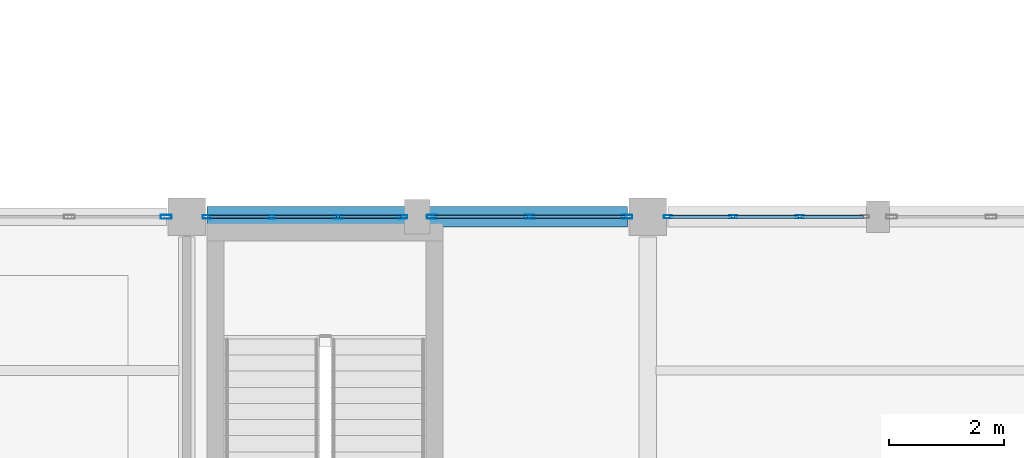
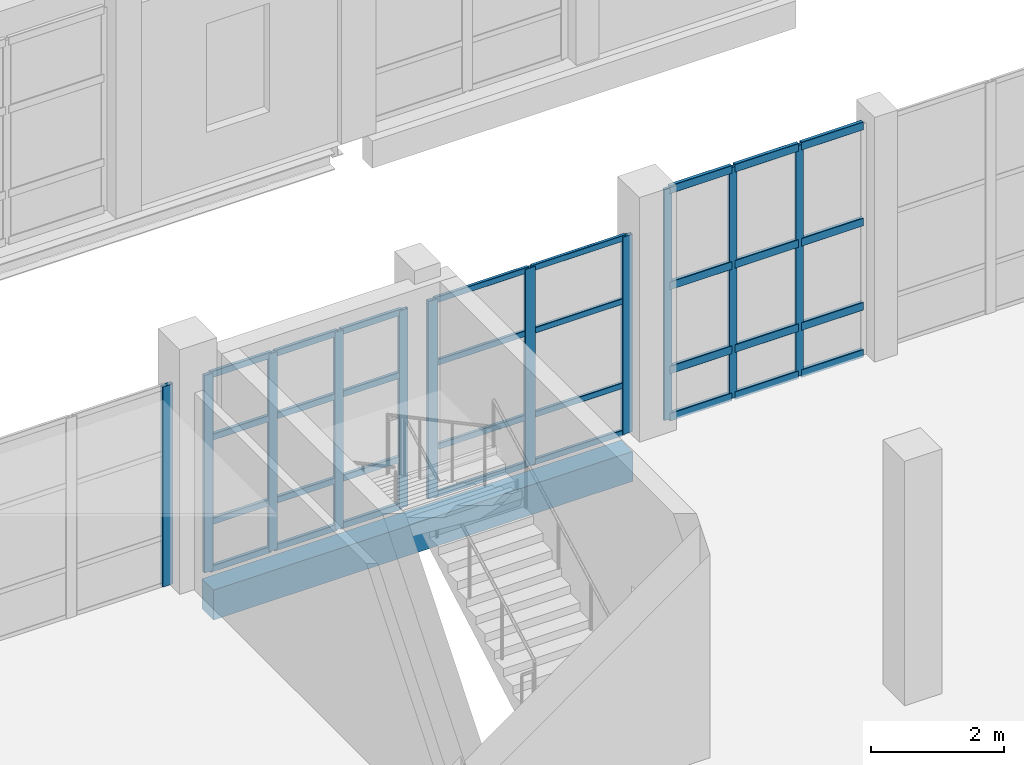
# One storey, part 32 of 183: 43 members, 1 beam, 4 elements without a shape of their own.
"""IFC4 building model written with IfcOpenShell, lengths in metres."""

from ifc_helpers import new_model, si_unit, direction, frame, origin, origin_2d, place, context, subcontext, project, spatial, rectangle, hollow_rectangle, extrude, material, material_profile, profile_set, type_object, element, aggregate, save


model = new_model("IFC4")

# Units and contexts
model_context = context("Model", 3, precision=1e-05, world=origin(), true_north=direction((0.0, 1.0)))
body_context = subcontext(model_context, "Body", "Model", "MODEL_VIEW")
ifc_project = project(units=[si_unit("LENGTHUNIT", "METRE"), si_unit("AREAUNIT", "SQUARE_METRE"), si_unit("VOLUMEUNIT", "CUBIC_METRE"), si_unit("PLANEANGLEUNIT", "RADIAN"), si_unit("MASSUNIT", "GRAM", prefix="KILO")], contexts=[model_context])

# Site, building, storey
site_placement = place(None, origin())
site = spatial("IfcSite", under=ifc_project, at=site_placement, CompositionType="ELEMENT")
building_placement = place(site_placement, origin())
building = spatial("IfcBuilding", under=site, at=building_placement, Name="Luwemba Playhouse", CompositionType="ELEMENT")
storey_placement = place(building_placement, frame((0.0, 0.0, 4.800048828125)))
storey = spatial("IfcBuildingStorey", under=building, at=storey_placement, Name="L01", CompositionType="ELEMENT", Elevation=4.800048828125)

# Beam
ifc_material_1 = material(Name="Concrete C40/50", Category="concrete")
ifc_material_profile_1 = material_profile(ifc_material_1, rectangle(XDim=0.35009765625, YDim=0.550048828125, at=origin_2d()))
ifc_profile_set_1 = profile_set([ifc_material_profile_1], Name="Concrete C40/50")
beam_type = type_object("IfcBeamType", Name="BM-SP2", PredefinedType="SPANDREL", material=ifc_profile_set_1)
beam_placement = place(storey_placement, frame((36.35009765625, 27.0, -0.525146484375), z_axis=(1.0, 0.0, 0.0), x_axis=(0.0, 1.0, 0.0)))
element("IfcBeam", 1, at=beam_placement, inside=storey, type_object=beam_type, Name="L01 grid girder 0493", PredefinedType="SPANDREL", context=body_context, shape_type="SweptSolid", body=[
    extrude(rectangle(XDim=0.35009765625, YDim=0.550048828125, at=origin_2d()), origin(), (0.0, 0.0, 1.0), 7.2998046875),
])

# Curtain wall, members
ifc_material_2 = material(Name="Solar-control double glazing", Category="glass")
curtain_wall_type_1 = type_object("IfcCurtainWallType", Name="CW-CW99", PredefinedType="USERDEFINED", material=ifc_material_2)
curtain_wall_1_placement = place(storey_placement, origin())
curtain_wall_1 = element("IfcCurtainWall", 2, at=curtain_wall_1_placement, inside=storey, type_object=curtain_wall_type_1, Name="L01 V5W unitised curtain wall 130", ObjectType="UNITISED GLAZING", PredefinedType="USERDEFINED")
ifc_material_3 = material(Name="Aluminium 6063-T6", Category="aluminium")
ifc_material_profile_2 = material_profile(ifc_material_3, hollow_rectangle(XDim=0.06005859375, YDim=0.159912109375, WallThickness=0.00390625, InnerFilletRadius=0.006103515625, OuterFilletRadius=0.010009765625, at=origin_2d()))
ifc_profile_set_2 = profile_set([ifc_material_profile_2], Name="Aluminium 6063-T6")
member_type_1 = type_object("IfcMemberType", Name="CWM-M1", PredefinedType="MULLION", material=ifc_profile_set_2)
member_1_placement = place(storey_placement, frame((36.35498046875, 27.0, 0.0), z_axis=(0.0, 0.0, 1.0), x_axis=(0.0, 1.0, 0.0)))
member_1 = element("IfcMember", 3, at=member_1_placement, type_object=member_type_1, Name="CW99 mullion 1", PredefinedType="MULLION", context=body_context, shape_type="SweptSolid", body=[
    extrude(hollow_rectangle(XDim=0.06005859375, YDim=0.159912109375, WallThickness=0.00390625, InnerFilletRadius=0.006103515625, OuterFilletRadius=0.010009765625, at=origin_2d()), origin(), (0.0, 0.0, 1.0), 3.635009765625),
])
member_2_placement = place(storey_placement, frame((37.47509765625, 27.0, 0.0), z_axis=(0.0, 0.0, 1.0), x_axis=(0.0, 1.0, 0.0)))
member_2 = element("IfcMember", 4, at=member_2_placement, type_object=member_type_1, Name="CW99 mullion 2", PredefinedType="MULLION", context=body_context, shape_type="SweptSolid", body=[
    extrude(hollow_rectangle(XDim=0.06005859375, YDim=0.159912109375, WallThickness=0.00390625, InnerFilletRadius=0.006103515625, OuterFilletRadius=0.010009765625, at=origin_2d()), origin(), (0.0, 0.0, 1.0), 3.635009765625),
])
member_3_placement = place(storey_placement, frame((38.625, 27.0, 0.0), z_axis=(0.0, 0.0, 1.0), x_axis=(0.0, 1.0, 0.0)))
member_3 = element("IfcMember", 5, at=member_3_placement, type_object=member_type_1, Name="CW99 mullion 3", PredefinedType="MULLION", context=body_context, shape_type="SweptSolid", body=[
    extrude(hollow_rectangle(XDim=0.06005859375, YDim=0.159912109375, WallThickness=0.00390625, InnerFilletRadius=0.006103515625, OuterFilletRadius=0.010009765625, at=origin_2d()), origin(), (0.0, 0.0, 1.0), 3.635009765625),
])
member_4_placement = place(storey_placement, frame((39.7451171875, 27.0, 0.0), z_axis=(0.0, 0.0, 1.0), x_axis=(0.0, 1.0, 0.0)))
member_4 = element("IfcMember", 6, at=member_4_placement, type_object=member_type_1, Name="CW99 mullion 4", PredefinedType="MULLION", context=body_context, shape_type="SweptSolid", body=[
    extrude(hollow_rectangle(XDim=0.06005859375, YDim=0.159912109375, WallThickness=0.00390625, InnerFilletRadius=0.006103515625, OuterFilletRadius=0.010009765625, at=origin_2d()), origin(), (0.0, 0.0, 1.0), 3.635009765625),
])

curtain_wall_type_2 = type_object("IfcCurtainWallType", Name="CW-CW100", PredefinedType="USERDEFINED", material=ifc_material_2)
curtain_wall_2_placement = place(storey_placement, origin())
curtain_wall_2 = element("IfcCurtainWall", 7, at=curtain_wall_2_placement, inside=storey, type_object=curtain_wall_type_2, Name="L01 V5W unitised curtain wall 131", ObjectType="UNITISED GLAZING", PredefinedType="USERDEFINED")
ifc_material_profile_3 = material_profile(ifc_material_3, hollow_rectangle(XDim=0.06494140625, YDim=0.179931640625, WallThickness=0.00439453125, InnerFilletRadius=0.0068359375, OuterFilletRadius=0.01123046875, at=origin_2d()))
ifc_profile_set_3 = profile_set([ifc_material_profile_3], Name="Aluminium 6063-T6")
member_type_2 = type_object("IfcMemberType", Name="CWM-M2", PredefinedType="MULLION", material=ifc_profile_set_3)
member_5_placement = place(storey_placement, frame((40.257568359375, 27.0, 0.0), z_axis=(0.0, 0.0, 1.0), x_axis=(0.0, 1.0, 0.0)))
member_5 = element("IfcMember", 8, at=member_5_placement, type_object=member_type_2, Name="CW100 mullion 1", PredefinedType="MULLION", context=body_context, shape_type="SweptSolid", body=[
    extrude(hollow_rectangle(XDim=0.06494140625, YDim=0.179931640625, WallThickness=0.00439453125, InnerFilletRadius=0.0068359375, OuterFilletRadius=0.01123046875, at=origin_2d()), origin(), (0.0, 0.0, 1.0), 3.635009765625),
])
member_6_placement = place(storey_placement, frame((41.949951171875, 27.0, 0.0), z_axis=(0.0, 0.0, 1.0), x_axis=(0.0, 1.0, 0.0)))
member_6 = element("IfcMember", 9, at=member_6_placement, type_object=member_type_2, Name="CW100 mullion 2", PredefinedType="MULLION", context=body_context, shape_type="SweptSolid", body=[
    extrude(hollow_rectangle(XDim=0.06494140625, YDim=0.179931640625, WallThickness=0.00439453125, InnerFilletRadius=0.0068359375, OuterFilletRadius=0.01123046875, at=origin_2d()), origin(), (0.0, 0.0, 1.0), 3.635009765625),
])
member_7_placement = place(storey_placement, frame((43.642578125, 27.0, 0.0), z_axis=(0.0, 0.0, 1.0), x_axis=(0.0, 1.0, 0.0)))
member_7 = element("IfcMember", 10, at=member_7_placement, type_object=member_type_2, Name="CW100 mullion 3", PredefinedType="MULLION", context=body_context, shape_type="SweptSolid", body=[
    extrude(hollow_rectangle(XDim=0.06494140625, YDim=0.179931640625, WallThickness=0.00439453125, InnerFilletRadius=0.0068359375, OuterFilletRadius=0.01123046875, at=origin_2d()), origin(), (0.0, 0.0, 1.0), 3.635009765625),
])

curtain_wall_type_3 = type_object("IfcCurtainWallType", Name="CW-CW101", PredefinedType="USERDEFINED", material=ifc_material_2)
curtain_wall_3_placement = place(storey_placement, origin())
curtain_wall_3 = element("IfcCurtainWall", 11, at=curtain_wall_3_placement, inside=storey, type_object=curtain_wall_type_3, Name="L01 V5W unitised curtain wall 132", ObjectType="UNITISED GLAZING", PredefinedType="USERDEFINED")
ifc_material_profile_4 = material_profile(ifc_material_3, hollow_rectangle(XDim=0.054931640625, YDim=0.139892578125, WallThickness=0.00390625, InnerFilletRadius=0.006103515625, OuterFilletRadius=0.010009765625, at=origin_2d()))
ifc_profile_set_4 = profile_set([ifc_material_profile_4], Name="Aluminium 6063-T6")
member_type_3 = type_object("IfcMemberType", Name="CWM-M3", PredefinedType="MULLION", material=ifc_profile_set_4)
member_8_placement = place(storey_placement, frame((44.3525390625, 27.0, 0.0), z_axis=(0.0, 0.0, 1.0), x_axis=(0.0, 1.0, 0.0)))
member_8 = element("IfcMember", 12, at=member_8_placement, type_object=member_type_3, Name="CW101 mullion 1", PredefinedType="MULLION", context=body_context, shape_type="SweptSolid", body=[
    extrude(hollow_rectangle(XDim=0.054931640625, YDim=0.139892578125, WallThickness=0.00390625, InnerFilletRadius=0.006103515625, OuterFilletRadius=0.010009765625, at=origin_2d()), origin(), (0.0, 0.0, 1.0), 4.25),
])
member_9_placement = place(storey_placement, frame((45.4833984375, 27.0, 0.0), z_axis=(0.0, 0.0, 1.0), x_axis=(0.0, 1.0, 0.0)))
member_9 = element("IfcMember", 13, at=member_9_placement, type_object=member_type_3, Name="CW101 mullion 2", PredefinedType="MULLION", context=body_context, shape_type="SweptSolid", body=[
    extrude(hollow_rectangle(XDim=0.054931640625, YDim=0.139892578125, WallThickness=0.00390625, InnerFilletRadius=0.006103515625, OuterFilletRadius=0.010009765625, at=origin_2d()), origin(), (0.0, 0.0, 1.0), 4.25),
])
member_10_placement = place(storey_placement, frame((46.6416015625, 27.0, 0.0), z_axis=(0.0, 0.0, 1.0), x_axis=(0.0, 1.0, 0.0)))
member_10 = element("IfcMember", 14, at=member_10_placement, type_object=member_type_3, Name="CW101 mullion 3", PredefinedType="MULLION", context=body_context, shape_type="SweptSolid", body=[
    extrude(hollow_rectangle(XDim=0.054931640625, YDim=0.139892578125, WallThickness=0.00390625, InnerFilletRadius=0.006103515625, OuterFilletRadius=0.010009765625, at=origin_2d()), origin(), (0.0, 0.0, 1.0), 4.25),
])

# Curtain wall, member
curtain_wall_type_4 = type_object("IfcCurtainWallType", Name="CW-CW98", PredefinedType="USERDEFINED", material=ifc_material_2)
curtain_wall_4_placement = place(storey_placement, origin())
curtain_wall_4 = element("IfcCurtainWall", 15, at=curtain_wall_4_placement, inside=storey, type_object=curtain_wall_type_4, Name="L01 V5W unitised curtain wall 129", ObjectType="UNITISED GLAZING", PredefinedType="USERDEFINED")
ifc_material_profile_5 = material_profile(ifc_material_3, hollow_rectangle(XDim=0.070068359375, YDim=0.18994140625, WallThickness=0.0048828125, InnerFilletRadius=0.007568359375, OuterFilletRadius=0.012451171875, at=origin_2d()))
ifc_profile_set_5 = profile_set([ifc_material_profile_5], Name="Aluminium 6063-T6")
member_type_4 = type_object("IfcMemberType", Name="CWM-M4", PredefinedType="MULLION", material=ifc_profile_set_5)
member_11_placement = place(storey_placement, frame((35.639892578125, 27.0, 0.0), z_axis=(0.0, 0.0, 1.0), x_axis=(0.0, 1.0, 0.0)))
member_11 = element("IfcMember", 16, at=member_11_placement, type_object=member_type_4, Name="CW98 mullion 3", PredefinedType="MULLION", context=body_context, shape_type="SweptSolid", body=[
    extrude(hollow_rectangle(XDim=0.070068359375, YDim=0.18994140625, WallThickness=0.0048828125, InnerFilletRadius=0.007568359375, OuterFilletRadius=0.012451171875, at=origin_2d()), origin(), (0.0, 0.0, 1.0), 3.68505859375),
])
aggregate(curtain_wall_4, [member_11])

# Member
ifc_material_profile_6 = material_profile(ifc_material_3, hollow_rectangle(XDim=0.06005859375, YDim=0.1201171875, WallThickness=0.00390625, InnerFilletRadius=0.006103515625, OuterFilletRadius=0.010009765625, at=origin_2d()))
ifc_profile_set_6 = profile_set([ifc_material_profile_6], Name="Aluminium 6063-T6")
member_type_5 = type_object("IfcMemberType", Name="CWT-T1", PredefinedType="USERDEFINED", material=ifc_profile_set_6)
member_12_placement = place(storey_placement, frame((36.385009765625, 27.0, 0.030029296875), z_axis=(1.0, 0.0, 0.0), x_axis=(0.0, 1.0, 0.0)))
member_12 = element("IfcMember", 17, at=member_12_placement, type_object=member_type_5, Name="CW99 transom 1.1", ObjectType="TRANSOM", PredefinedType="USERDEFINED", context=body_context, shape_type="SweptSolid", body=[
    extrude(hollow_rectangle(XDim=0.06005859375, YDim=0.1201171875, WallThickness=0.00390625, InnerFilletRadius=0.006103515625, OuterFilletRadius=0.010009765625, at=origin_2d()), origin(), (0.0, 0.0, 1.0), 1.06005859375),
])

member_13_placement = place(storey_placement, frame((36.385009765625, 27.0, 0.89990234375), z_axis=(1.0, 0.0, 0.0), x_axis=(0.0, 1.0, 0.0)))
member_13 = element("IfcMember", 18, at=member_13_placement, type_object=member_type_5, Name="CW99 transom 1.2", ObjectType="TRANSOM", PredefinedType="USERDEFINED", context=body_context, shape_type="SweptSolid", body=[
    extrude(hollow_rectangle(XDim=0.06005859375, YDim=0.1201171875, WallThickness=0.00390625, InnerFilletRadius=0.006103515625, OuterFilletRadius=0.010009765625, at=origin_2d()), origin(), (0.0, 0.0, 1.0), 1.06005859375),
])

member_14_placement = place(storey_placement, frame((36.385009765625, 27.0, 2.449951171875), z_axis=(1.0, 0.0, 0.0), x_axis=(0.0, 1.0, 0.0)))
member_14 = element("IfcMember", 19, at=member_14_placement, type_object=member_type_5, Name="CW99 transom 1.3", ObjectType="TRANSOM", PredefinedType="USERDEFINED", context=body_context, shape_type="SweptSolid", body=[
    extrude(hollow_rectangle(XDim=0.06005859375, YDim=0.1201171875, WallThickness=0.00390625, InnerFilletRadius=0.006103515625, OuterFilletRadius=0.010009765625, at=origin_2d()), origin(), (0.0, 0.0, 1.0), 1.06005859375),
])

member_15_placement = place(storey_placement, frame((36.385009765625, 27.0, 3.60498046875), z_axis=(1.0, 0.0, 0.0), x_axis=(0.0, 1.0, 0.0)))
member_15 = element("IfcMember", 20, at=member_15_placement, type_object=member_type_5, Name="CW99 transom 1.4", ObjectType="TRANSOM", PredefinedType="USERDEFINED", context=body_context, shape_type="SweptSolid", body=[
    extrude(hollow_rectangle(XDim=0.06005859375, YDim=0.1201171875, WallThickness=0.00390625, InnerFilletRadius=0.006103515625, OuterFilletRadius=0.010009765625, at=origin_2d()), origin(), (0.0, 0.0, 1.0), 1.06005859375),
])

member_16_placement = place(storey_placement, frame((37.5048828125, 27.0, 0.030029296875), z_axis=(1.0, 0.0, 0.0), x_axis=(0.0, 1.0, 0.0)))
member_16 = element("IfcMember", 21, at=member_16_placement, type_object=member_type_5, Name="CW99 transom 2.1", ObjectType="TRANSOM", PredefinedType="USERDEFINED", context=body_context, shape_type="SweptSolid", body=[
    extrude(hollow_rectangle(XDim=0.06005859375, YDim=0.1201171875, WallThickness=0.00390625, InnerFilletRadius=0.006103515625, OuterFilletRadius=0.010009765625, at=origin_2d()), origin(), (0.0, 0.0, 1.0), 1.090087890625),
])

member_17_placement = place(storey_placement, frame((37.5048828125, 27.0, 0.89990234375), z_axis=(1.0, 0.0, 0.0), x_axis=(0.0, 1.0, 0.0)))
member_17 = element("IfcMember", 22, at=member_17_placement, type_object=member_type_5, Name="CW99 transom 2.2", ObjectType="TRANSOM", PredefinedType="USERDEFINED", context=body_context, shape_type="SweptSolid", body=[
    extrude(hollow_rectangle(XDim=0.06005859375, YDim=0.1201171875, WallThickness=0.00390625, InnerFilletRadius=0.006103515625, OuterFilletRadius=0.010009765625, at=origin_2d()), origin(), (0.0, 0.0, 1.0), 1.090087890625),
])

member_18_placement = place(storey_placement, frame((37.5048828125, 27.0, 2.449951171875), z_axis=(1.0, 0.0, 0.0), x_axis=(0.0, 1.0, 0.0)))
member_18 = element("IfcMember", 23, at=member_18_placement, type_object=member_type_5, Name="CW99 transom 2.3", ObjectType="TRANSOM", PredefinedType="USERDEFINED", context=body_context, shape_type="SweptSolid", body=[
    extrude(hollow_rectangle(XDim=0.06005859375, YDim=0.1201171875, WallThickness=0.00390625, InnerFilletRadius=0.006103515625, OuterFilletRadius=0.010009765625, at=origin_2d()), origin(), (0.0, 0.0, 1.0), 1.090087890625),
])

member_19_placement = place(storey_placement, frame((37.5048828125, 27.0, 3.60498046875), z_axis=(1.0, 0.0, 0.0), x_axis=(0.0, 1.0, 0.0)))
member_19 = element("IfcMember", 24, at=member_19_placement, type_object=member_type_5, Name="CW99 transom 2.4", ObjectType="TRANSOM", PredefinedType="USERDEFINED", context=body_context, shape_type="SweptSolid", body=[
    extrude(hollow_rectangle(XDim=0.06005859375, YDim=0.1201171875, WallThickness=0.00390625, InnerFilletRadius=0.006103515625, OuterFilletRadius=0.010009765625, at=origin_2d()), origin(), (0.0, 0.0, 1.0), 1.090087890625),
])

member_20_placement = place(storey_placement, frame((38.655029296875, 27.0, 0.030029296875), z_axis=(1.0, 0.0, 0.0), x_axis=(0.0, 1.0, 0.0)))
member_20 = element("IfcMember", 25, at=member_20_placement, type_object=member_type_5, Name="CW99 transom 3.1", ObjectType="TRANSOM", PredefinedType="USERDEFINED", context=body_context, shape_type="SweptSolid", body=[
    extrude(hollow_rectangle(XDim=0.06005859375, YDim=0.1201171875, WallThickness=0.00390625, InnerFilletRadius=0.006103515625, OuterFilletRadius=0.010009765625, at=origin_2d()), origin(), (0.0, 0.0, 1.0), 1.06005859375),
])

member_21_placement = place(storey_placement, frame((38.655029296875, 27.0, 0.89990234375), z_axis=(1.0, 0.0, 0.0), x_axis=(0.0, 1.0, 0.0)))
member_21 = element("IfcMember", 26, at=member_21_placement, type_object=member_type_5, Name="CW99 transom 3.2", ObjectType="TRANSOM", PredefinedType="USERDEFINED", context=body_context, shape_type="SweptSolid", body=[
    extrude(hollow_rectangle(XDim=0.06005859375, YDim=0.1201171875, WallThickness=0.00390625, InnerFilletRadius=0.006103515625, OuterFilletRadius=0.010009765625, at=origin_2d()), origin(), (0.0, 0.0, 1.0), 1.06005859375),
])

member_22_placement = place(storey_placement, frame((38.655029296875, 27.0, 2.449951171875), z_axis=(1.0, 0.0, 0.0), x_axis=(0.0, 1.0, 0.0)))
member_22 = element("IfcMember", 27, at=member_22_placement, type_object=member_type_5, Name="CW99 transom 3.3", ObjectType="TRANSOM", PredefinedType="USERDEFINED", context=body_context, shape_type="SweptSolid", body=[
    extrude(hollow_rectangle(XDim=0.06005859375, YDim=0.1201171875, WallThickness=0.00390625, InnerFilletRadius=0.006103515625, OuterFilletRadius=0.010009765625, at=origin_2d()), origin(), (0.0, 0.0, 1.0), 1.06005859375),
])

member_23_placement = place(storey_placement, frame((38.655029296875, 27.0, 3.60498046875), z_axis=(1.0, 0.0, 0.0), x_axis=(0.0, 1.0, 0.0)))
member_23 = element("IfcMember", 28, at=member_23_placement, type_object=member_type_5, Name="CW99 transom 3.4", ObjectType="TRANSOM", PredefinedType="USERDEFINED", context=body_context, shape_type="SweptSolid", body=[
    extrude(hollow_rectangle(XDim=0.06005859375, YDim=0.1201171875, WallThickness=0.00390625, InnerFilletRadius=0.006103515625, OuterFilletRadius=0.010009765625, at=origin_2d()), origin(), (0.0, 0.0, 1.0), 1.06005859375),
])

aggregate(curtain_wall_1, [member_1, member_2, member_3, member_4, member_12, member_13, member_14, member_15, member_16, member_17, member_18, member_19, member_20, member_21, member_22, member_23])

ifc_material_profile_7 = material_profile(ifc_material_3, hollow_rectangle(XDim=0.054931640625, YDim=0.110107421875, WallThickness=0.00341796875, InnerFilletRadius=0.00537109375, OuterFilletRadius=0.0087890625, at=origin_2d()))
ifc_profile_set_7 = profile_set([ifc_material_profile_7], Name="Aluminium 6063-T6")
member_type_6 = type_object("IfcMemberType", Name="CWT-T2", PredefinedType="USERDEFINED", material=ifc_profile_set_7)
member_24_placement = place(storey_placement, frame((40.2900390625, 27.0, 0.02734375), z_axis=(1.0, 0.0, 0.0), x_axis=(0.0, 1.0, 0.0)))
member_24 = element("IfcMember", 29, at=member_24_placement, type_object=member_type_6, Name="CW100 transom 1.1", ObjectType="TRANSOM", PredefinedType="USERDEFINED", context=body_context, shape_type="SweptSolid", body=[
    extrude(hollow_rectangle(XDim=0.054931640625, YDim=0.110107421875, WallThickness=0.00341796875, InnerFilletRadius=0.00537109375, OuterFilletRadius=0.0087890625, at=origin_2d()), origin(), (0.0, 0.0, 1.0), 1.62744140625),
])

member_25_placement = place(storey_placement, frame((40.2900390625, 27.0, 0.89990234375), z_axis=(1.0, 0.0, 0.0), x_axis=(0.0, 1.0, 0.0)))
member_25 = element("IfcMember", 30, at=member_25_placement, type_object=member_type_6, Name="CW100 transom 1.2", ObjectType="TRANSOM", PredefinedType="USERDEFINED", context=body_context, shape_type="SweptSolid", body=[
    extrude(hollow_rectangle(XDim=0.054931640625, YDim=0.110107421875, WallThickness=0.00341796875, InnerFilletRadius=0.00537109375, OuterFilletRadius=0.0087890625, at=origin_2d()), origin(), (0.0, 0.0, 1.0), 1.62744140625),
])

member_26_placement = place(storey_placement, frame((40.2900390625, 27.0, 2.449951171875), z_axis=(1.0, 0.0, 0.0), x_axis=(0.0, 1.0, 0.0)))
member_26 = element("IfcMember", 31, at=member_26_placement, type_object=member_type_6, Name="CW100 transom 1.3", ObjectType="TRANSOM", PredefinedType="USERDEFINED", context=body_context, shape_type="SweptSolid", body=[
    extrude(hollow_rectangle(XDim=0.054931640625, YDim=0.110107421875, WallThickness=0.00341796875, InnerFilletRadius=0.00537109375, OuterFilletRadius=0.0087890625, at=origin_2d()), origin(), (0.0, 0.0, 1.0), 1.62744140625),
])

member_27_placement = place(storey_placement, frame((40.2900390625, 27.0, 3.607421875), z_axis=(1.0, 0.0, 0.0), x_axis=(0.0, 1.0, 0.0)))
member_27 = element("IfcMember", 32, at=member_27_placement, type_object=member_type_6, Name="CW100 transom 1.4", ObjectType="TRANSOM", PredefinedType="USERDEFINED", context=body_context, shape_type="SweptSolid", body=[
    extrude(hollow_rectangle(XDim=0.054931640625, YDim=0.110107421875, WallThickness=0.00341796875, InnerFilletRadius=0.00537109375, OuterFilletRadius=0.0087890625, at=origin_2d()), origin(), (0.0, 0.0, 1.0), 1.62744140625),
])

member_28_placement = place(storey_placement, frame((41.982421875, 27.0, 0.02734375), z_axis=(1.0, 0.0, 0.0), x_axis=(0.0, 1.0, 0.0)))
member_28 = element("IfcMember", 33, at=member_28_placement, type_object=member_type_6, Name="CW100 transom 2.1", ObjectType="TRANSOM", PredefinedType="USERDEFINED", context=body_context, shape_type="SweptSolid", body=[
    extrude(hollow_rectangle(XDim=0.054931640625, YDim=0.110107421875, WallThickness=0.00341796875, InnerFilletRadius=0.00537109375, OuterFilletRadius=0.0087890625, at=origin_2d()), origin(), (0.0, 0.0, 1.0), 1.627685546875),
])

member_29_placement = place(storey_placement, frame((41.982421875, 27.0, 0.89990234375), z_axis=(1.0, 0.0, 0.0), x_axis=(0.0, 1.0, 0.0)))
member_29 = element("IfcMember", 34, at=member_29_placement, type_object=member_type_6, Name="CW100 transom 2.2", ObjectType="TRANSOM", PredefinedType="USERDEFINED", context=body_context, shape_type="SweptSolid", body=[
    extrude(hollow_rectangle(XDim=0.054931640625, YDim=0.110107421875, WallThickness=0.00341796875, InnerFilletRadius=0.00537109375, OuterFilletRadius=0.0087890625, at=origin_2d()), origin(), (0.0, 0.0, 1.0), 1.627685546875),
])

member_30_placement = place(storey_placement, frame((41.982421875, 27.0, 2.449951171875), z_axis=(1.0, 0.0, 0.0), x_axis=(0.0, 1.0, 0.0)))
member_30 = element("IfcMember", 35, at=member_30_placement, type_object=member_type_6, Name="CW100 transom 2.3", ObjectType="TRANSOM", PredefinedType="USERDEFINED", context=body_context, shape_type="SweptSolid", body=[
    extrude(hollow_rectangle(XDim=0.054931640625, YDim=0.110107421875, WallThickness=0.00341796875, InnerFilletRadius=0.00537109375, OuterFilletRadius=0.0087890625, at=origin_2d()), origin(), (0.0, 0.0, 1.0), 1.627685546875),
])

member_31_placement = place(storey_placement, frame((41.982421875, 27.0, 3.607421875), z_axis=(1.0, 0.0, 0.0), x_axis=(0.0, 1.0, 0.0)))
member_31 = element("IfcMember", 36, at=member_31_placement, type_object=member_type_6, Name="CW100 transom 2.4", ObjectType="TRANSOM", PredefinedType="USERDEFINED", context=body_context, shape_type="SweptSolid", body=[
    extrude(hollow_rectangle(XDim=0.054931640625, YDim=0.110107421875, WallThickness=0.00341796875, InnerFilletRadius=0.00537109375, OuterFilletRadius=0.0087890625, at=origin_2d()), origin(), (0.0, 0.0, 1.0), 1.627685546875),
])

aggregate(curtain_wall_2, [member_5, member_6, member_7, member_24, member_25, member_26, member_27, member_28, member_29, member_30, member_31])

ifc_material_profile_8 = material_profile(ifc_material_3, hollow_rectangle(XDim=0.06494140625, YDim=0.14990234375, WallThickness=0.00390625, InnerFilletRadius=0.006103515625, OuterFilletRadius=0.010009765625, at=origin_2d()))
ifc_profile_set_8 = profile_set([ifc_material_profile_8], Name="Aluminium 6063-T6")
member_type_7 = type_object("IfcMemberType", Name="CWT-T3", PredefinedType="USERDEFINED", material=ifc_profile_set_8)
member_32_placement = place(storey_placement, frame((44.3798828125, 27.0, 0.032470703125), z_axis=(1.0, 0.0, 0.0), x_axis=(0.0, 1.0, 0.0)))
member_32 = element("IfcMember", 37, at=member_32_placement, type_object=member_type_7, Name="CW101 transom 1.1", ObjectType="TRANSOM", PredefinedType="USERDEFINED", context=body_context, shape_type="SweptSolid", body=[
    extrude(hollow_rectangle(XDim=0.06494140625, YDim=0.14990234375, WallThickness=0.00390625, InnerFilletRadius=0.006103515625, OuterFilletRadius=0.010009765625, at=origin_2d()), origin(), (0.0, 0.0, 1.0), 1.075927734375),
])

member_33_placement = place(storey_placement, frame((44.3798828125, 27.0, 0.89990234375), z_axis=(1.0, 0.0, 0.0), x_axis=(0.0, 1.0, 0.0)))
member_33 = element("IfcMember", 38, at=member_33_placement, type_object=member_type_7, Name="CW101 transom 1.2", ObjectType="TRANSOM", PredefinedType="USERDEFINED", context=body_context, shape_type="SweptSolid", body=[
    extrude(hollow_rectangle(XDim=0.06494140625, YDim=0.14990234375, WallThickness=0.00390625, InnerFilletRadius=0.006103515625, OuterFilletRadius=0.010009765625, at=origin_2d()), origin(), (0.0, 0.0, 1.0), 1.075927734375),
])

member_34_placement = place(storey_placement, frame((44.3798828125, 27.0, 2.449951171875), z_axis=(1.0, 0.0, 0.0), x_axis=(0.0, 1.0, 0.0)))
member_34 = element("IfcMember", 39, at=member_34_placement, type_object=member_type_7, Name="CW101 transom 1.3", ObjectType="TRANSOM", PredefinedType="USERDEFINED", context=body_context, shape_type="SweptSolid", body=[
    extrude(hollow_rectangle(XDim=0.06494140625, YDim=0.14990234375, WallThickness=0.00390625, InnerFilletRadius=0.006103515625, OuterFilletRadius=0.010009765625, at=origin_2d()), origin(), (0.0, 0.0, 1.0), 1.075927734375),
])

member_35_placement = place(storey_placement, frame((44.3798828125, 27.0, 4.217529296875), z_axis=(1.0, 0.0, 0.0), x_axis=(0.0, 1.0, 0.0)))
member_35 = element("IfcMember", 40, at=member_35_placement, type_object=member_type_7, Name="CW101 transom 1.4", ObjectType="TRANSOM", PredefinedType="USERDEFINED", context=body_context, shape_type="SweptSolid", body=[
    extrude(hollow_rectangle(XDim=0.06494140625, YDim=0.14990234375, WallThickness=0.00390625, InnerFilletRadius=0.006103515625, OuterFilletRadius=0.010009765625, at=origin_2d()), origin(), (0.0, 0.0, 1.0), 1.075927734375),
])

member_36_placement = place(storey_placement, frame((45.5107421875, 27.0, 0.032470703125), z_axis=(1.0, 0.0, 0.0), x_axis=(0.0, 1.0, 0.0)))
member_36 = element("IfcMember", 41, at=member_36_placement, type_object=member_type_7, Name="CW101 transom 2.1", ObjectType="TRANSOM", PredefinedType="USERDEFINED", context=body_context, shape_type="SweptSolid", body=[
    extrude(hollow_rectangle(XDim=0.06494140625, YDim=0.14990234375, WallThickness=0.00390625, InnerFilletRadius=0.006103515625, OuterFilletRadius=0.010009765625, at=origin_2d()), origin(), (0.0, 0.0, 1.0), 1.103515625),
])

member_37_placement = place(storey_placement, frame((45.5107421875, 27.0, 0.89990234375), z_axis=(1.0, 0.0, 0.0), x_axis=(0.0, 1.0, 0.0)))
member_37 = element("IfcMember", 42, at=member_37_placement, type_object=member_type_7, Name="CW101 transom 2.2", ObjectType="TRANSOM", PredefinedType="USERDEFINED", context=body_context, shape_type="SweptSolid", body=[
    extrude(hollow_rectangle(XDim=0.06494140625, YDim=0.14990234375, WallThickness=0.00390625, InnerFilletRadius=0.006103515625, OuterFilletRadius=0.010009765625, at=origin_2d()), origin(), (0.0, 0.0, 1.0), 1.103515625),
])

member_38_placement = place(storey_placement, frame((45.5107421875, 27.0, 2.449951171875), z_axis=(1.0, 0.0, 0.0), x_axis=(0.0, 1.0, 0.0)))
member_38 = element("IfcMember", 43, at=member_38_placement, type_object=member_type_7, Name="CW101 transom 2.3", ObjectType="TRANSOM", PredefinedType="USERDEFINED", context=body_context, shape_type="SweptSolid", body=[
    extrude(hollow_rectangle(XDim=0.06494140625, YDim=0.14990234375, WallThickness=0.00390625, InnerFilletRadius=0.006103515625, OuterFilletRadius=0.010009765625, at=origin_2d()), origin(), (0.0, 0.0, 1.0), 1.103515625),
])

member_39_placement = place(storey_placement, frame((45.5107421875, 27.0, 4.217529296875), z_axis=(1.0, 0.0, 0.0), x_axis=(0.0, 1.0, 0.0)))
member_39 = element("IfcMember", 44, at=member_39_placement, type_object=member_type_7, Name="CW101 transom 2.4", ObjectType="TRANSOM", PredefinedType="USERDEFINED", context=body_context, shape_type="SweptSolid", body=[
    extrude(hollow_rectangle(XDim=0.06494140625, YDim=0.14990234375, WallThickness=0.00390625, InnerFilletRadius=0.006103515625, OuterFilletRadius=0.010009765625, at=origin_2d()), origin(), (0.0, 0.0, 1.0), 1.103515625),
])

member_40_placement = place(storey_placement, frame((46.669189453125, 27.0, 0.032470703125), z_axis=(1.0, 0.0, 0.0), x_axis=(0.0, 1.0, 0.0)))
member_40 = element("IfcMember", 45, at=member_40_placement, type_object=member_type_7, Name="CW101 transom 3.1", ObjectType="TRANSOM", PredefinedType="USERDEFINED", context=body_context, shape_type="SweptSolid", body=[
    extrude(hollow_rectangle(XDim=0.06494140625, YDim=0.14990234375, WallThickness=0.00390625, InnerFilletRadius=0.006103515625, OuterFilletRadius=0.010009765625, at=origin_2d()), origin(), (0.0, 0.0, 1.0), 1.075927734375),
])

member_41_placement = place(storey_placement, frame((46.669189453125, 27.0, 0.89990234375), z_axis=(1.0, 0.0, 0.0), x_axis=(0.0, 1.0, 0.0)))
member_41 = element("IfcMember", 46, at=member_41_placement, type_object=member_type_7, Name="CW101 transom 3.2", ObjectType="TRANSOM", PredefinedType="USERDEFINED", context=body_context, shape_type="SweptSolid", body=[
    extrude(hollow_rectangle(XDim=0.06494140625, YDim=0.14990234375, WallThickness=0.00390625, InnerFilletRadius=0.006103515625, OuterFilletRadius=0.010009765625, at=origin_2d()), origin(), (0.0, 0.0, 1.0), 1.075927734375),
])

member_42_placement = place(storey_placement, frame((46.669189453125, 27.0, 2.449951171875), z_axis=(1.0, 0.0, 0.0), x_axis=(0.0, 1.0, 0.0)))
member_42 = element("IfcMember", 47, at=member_42_placement, type_object=member_type_7, Name="CW101 transom 3.3", ObjectType="TRANSOM", PredefinedType="USERDEFINED", context=body_context, shape_type="SweptSolid", body=[
    extrude(hollow_rectangle(XDim=0.06494140625, YDim=0.14990234375, WallThickness=0.00390625, InnerFilletRadius=0.006103515625, OuterFilletRadius=0.010009765625, at=origin_2d()), origin(), (0.0, 0.0, 1.0), 1.075927734375),
])

member_43_placement = place(storey_placement, frame((46.669189453125, 27.0, 4.217529296875), z_axis=(1.0, 0.0, 0.0), x_axis=(0.0, 1.0, 0.0)))
member_43 = element("IfcMember", 48, at=member_43_placement, type_object=member_type_7, Name="CW101 transom 3.4", ObjectType="TRANSOM", PredefinedType="USERDEFINED", context=body_context, shape_type="SweptSolid", body=[
    extrude(hollow_rectangle(XDim=0.06494140625, YDim=0.14990234375, WallThickness=0.00390625, InnerFilletRadius=0.006103515625, OuterFilletRadius=0.010009765625, at=origin_2d()), origin(), (0.0, 0.0, 1.0), 1.075927734375),
])

aggregate(curtain_wall_3, [member_8, member_9, member_10, member_32, member_33, member_34, member_35, member_36, member_37, member_38, member_39, member_40, member_41, member_42, member_43])

save(model, "model.ifc")
